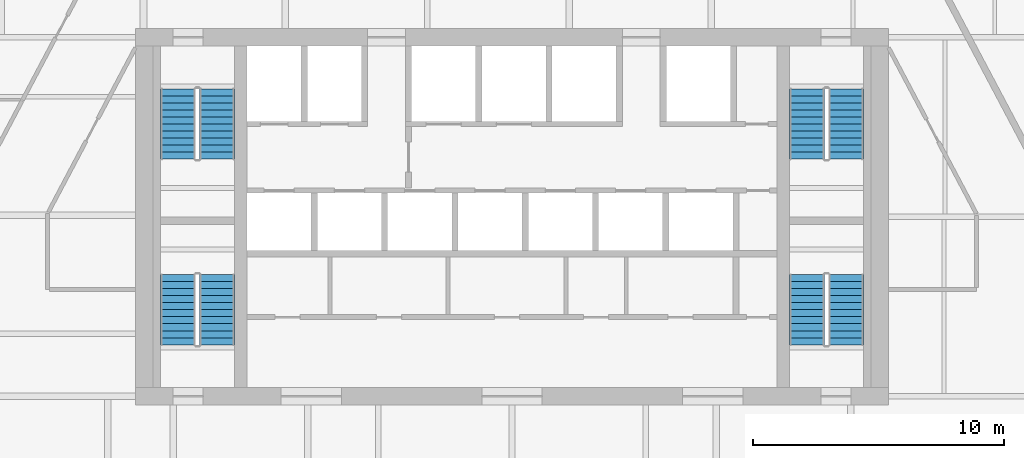
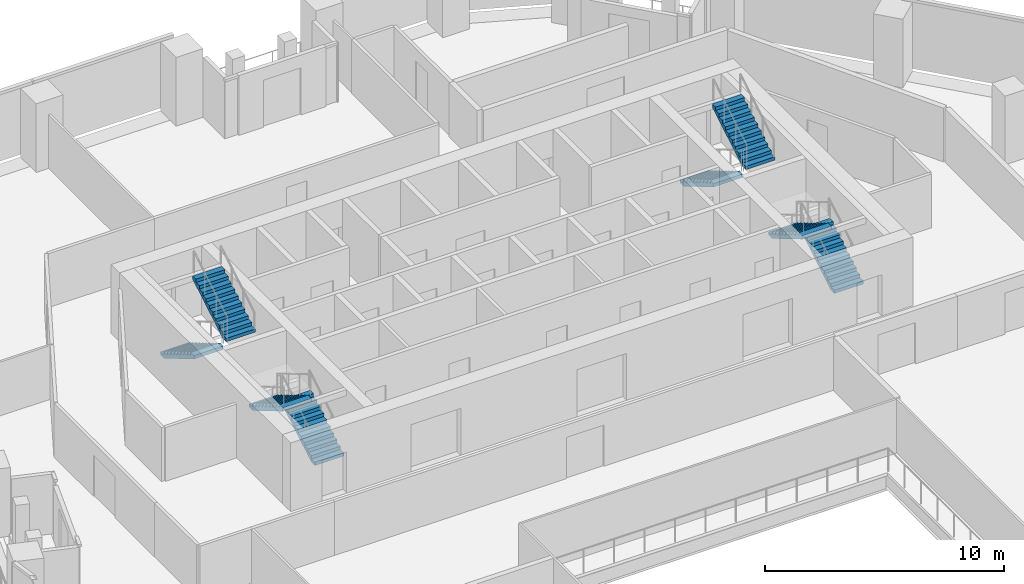
# One storey, part 21 of 25: 8 stair flights, 4 elements without a shape of their own.
"""IFC4 building model written with IfcOpenShell, lengths in metres."""

from ifc_helpers import new_model, si_unit, direction, frame, origin, place, context, subcontext, project, spatial, polyline, outline, extrude, material, type_object, element, aggregate, save


model = new_model("IFC4")

# Units and contexts
model_context = context("Model", 3, precision=1e-05, world=origin(), true_north=direction((0.0, 1.0)))
body_context = subcontext(model_context, "Body", "Model", "MODEL_VIEW")
ifc_project = project(units=[si_unit("LENGTHUNIT", "METRE"), si_unit("AREAUNIT", "SQUARE_METRE"), si_unit("VOLUMEUNIT", "CUBIC_METRE"), si_unit("PLANEANGLEUNIT", "RADIAN"), si_unit("MASSUNIT", "GRAM", prefix="KILO")], contexts=[model_context])

# Site, building, storey
site_placement = place(None, origin())
site = spatial("IfcSite", under=ifc_project, at=site_placement, CompositionType="ELEMENT")
building_placement = place(site_placement, origin())
building = spatial("IfcBuilding", under=site, at=building_placement, Name="Isthmus Gate Tower", CompositionType="ELEMENT")
storey_placement = place(building_placement, frame((0.0, 0.0, 174.449951171875)))
storey = spatial("IfcBuildingStorey", under=building, at=storey_placement, Name="L43", CompositionType="ELEMENT", Elevation=174.449951171875)

# Stair, stair flights
ifc_material_1 = material(Name="Concrete f'c 40 MPa", Category="concrete")
stair_type = type_object("IfcStairType", Name="CORE STAIR 22 RISERS", PredefinedType="HALF_TURN_STAIR", material=ifc_material_1)
stair_1_placement = place(storey_placement, origin())
stair_1 = element("IfcStair", 1, at=stair_1_placement, inside=storey, type_object=stair_type, Name="L43 Exit Stair 1", PredefinedType="HALF_TURN_STAIR")
ifc_material_2 = material(Name="Concrete f'c 40 MPa", Category="concrete")
stair_flight_type = type_object("IfcStairFlightType", Name="STAIR FLIGHT RC 1400", PredefinedType="STRAIGHT", material=ifc_material_2)
stair_flight_1_placement = place(storey_placement, frame((-13.300048828125, 12.60009765625, 0.0), z_axis=(0.0, 0.0, 1.0), x_axis=(0.0, -1.0, 0.0)))
stair_flight_1 = element("IfcStairFlight", 2, at=stair_flight_1_placement, type_object=stair_flight_type, Name="ST1 flight 1", NumberOfRisers=11, NumberOfTreads=10, PredefinedType="STRAIGHT", RiserHeight=0.165909091, TreadLength=0.28, context=body_context, shape_type="SweptSolid", body=[
    extrude(outline(polyline([(0.0, 0.0), (0.0, 0.166015625), (0.280029296875, 0.166015625), (0.280029296875, 0.331787109375), (0.56005859375, 0.331787109375), (0.56005859375, 0.497802734375), (0.840087890625, 0.497802734375), (0.840087890625, 0.66357421875), (1.1201171875, 0.66357421875), (1.1201171875, 0.82958984375), (1.39990234375, 0.82958984375), (1.39990234375, 0.995361328125), (1.679931640625, 0.995361328125), (1.679931640625, 1.161376953125), (1.9599609375, 1.161376953125), (1.9599609375, 1.327392578125), (2.239990234375, 1.327392578125), (2.239990234375, 1.4931640625), (2.52001953125, 1.4931640625), (2.52001953125, 1.6591796875), (2.800048828125, 1.6591796875), (2.800048828125, 1.824951171875), (2.800048828125, 1.48486328125), (0.2939453125, 0.0), (0.0, 0.0)])), frame((0.0, 0.699951171875, 0.0), z_axis=(0.0, -1.0, 0.0), x_axis=(1.0, 0.0, 0.0)), (0.0, 0.0, 1.0), 1.39990234375),
])
stair_flight_2_placement = place(storey_placement, frame((-11.75, 9.800048828125, 1.824951171875), z_axis=(0.0, 0.0, 1.0), x_axis=(0.0, 1.0, 0.0)))
stair_flight_2 = element("IfcStairFlight", 3, at=stair_flight_2_placement, type_object=stair_flight_type, Name="ST1 flight 2", NumberOfRisers=11, NumberOfTreads=10, PredefinedType="STRAIGHT", RiserHeight=0.165909091, TreadLength=0.28, context=body_context, shape_type="SweptSolid", body=[
    extrude(outline(polyline([(0.0, 0.0), (0.0, 0.166015625), (0.280029296875, 0.166015625), (0.280029296875, 0.331787109375), (0.56005859375, 0.331787109375), (0.56005859375, 0.497802734375), (0.840087890625, 0.497802734375), (0.840087890625, 0.66357421875), (1.1201171875, 0.66357421875), (1.1201171875, 0.82958984375), (1.39990234375, 0.82958984375), (1.39990234375, 0.995361328125), (1.679931640625, 0.995361328125), (1.679931640625, 1.161376953125), (1.9599609375, 1.161376953125), (1.9599609375, 1.327392578125), (2.239990234375, 1.327392578125), (2.239990234375, 1.4931640625), (2.52001953125, 1.4931640625), (2.52001953125, 1.6591796875), (2.800048828125, 1.6591796875), (2.800048828125, 1.824951171875), (2.800048828125, 1.48486328125), (0.2939453125, 0.0), (0.0, 0.0)])), frame((0.0, 0.699951171875, 0.0), z_axis=(0.0, -1.0, 0.0), x_axis=(1.0, 0.0, 0.0)), (0.0, 0.0, 1.0), 1.39990234375),
])
aggregate(stair_1, [stair_flight_1, stair_flight_2])

stair_2_placement = place(storey_placement, origin())
stair_2 = element("IfcStair", 4, at=stair_2_placement, inside=storey, type_object=stair_type, Name="L43 Exit Stair 2", PredefinedType="HALF_TURN_STAIR")
stair_flight_3_placement = place(storey_placement, frame((11.75, 12.60009765625, 0.0), z_axis=(0.0, 0.0, 1.0), x_axis=(0.0, -1.0, 0.0)))
stair_flight_3 = element("IfcStairFlight", 5, at=stair_flight_3_placement, type_object=stair_flight_type, Name="ST2 flight 1", NumberOfRisers=11, NumberOfTreads=10, PredefinedType="STRAIGHT", RiserHeight=0.165909091, TreadLength=0.28, context=body_context, shape_type="SweptSolid", body=[
    extrude(outline(polyline([(0.0, 0.0), (0.0, 0.166015625), (0.280029296875, 0.166015625), (0.280029296875, 0.331787109375), (0.56005859375, 0.331787109375), (0.56005859375, 0.497802734375), (0.840087890625, 0.497802734375), (0.840087890625, 0.66357421875), (1.1201171875, 0.66357421875), (1.1201171875, 0.82958984375), (1.39990234375, 0.82958984375), (1.39990234375, 0.995361328125), (1.679931640625, 0.995361328125), (1.679931640625, 1.161376953125), (1.9599609375, 1.161376953125), (1.9599609375, 1.327392578125), (2.239990234375, 1.327392578125), (2.239990234375, 1.4931640625), (2.52001953125, 1.4931640625), (2.52001953125, 1.6591796875), (2.800048828125, 1.6591796875), (2.800048828125, 1.824951171875), (2.800048828125, 1.48486328125), (0.2939453125, 0.0), (0.0, 0.0)])), frame((0.0, 0.699951171875, 0.0), z_axis=(0.0, -1.0, 0.0), x_axis=(1.0, 0.0, 0.0)), (0.0, 0.0, 1.0), 1.39990234375),
])
stair_flight_4_placement = place(storey_placement, frame((13.300048828125, 9.800048828125, 1.824951171875), z_axis=(0.0, 0.0, 1.0), x_axis=(0.0, 1.0, 0.0)))
stair_flight_4 = element("IfcStairFlight", 6, at=stair_flight_4_placement, type_object=stair_flight_type, Name="ST2 flight 2", NumberOfRisers=11, NumberOfTreads=10, PredefinedType="STRAIGHT", RiserHeight=0.165909091, TreadLength=0.28, context=body_context, shape_type="SweptSolid", body=[
    extrude(outline(polyline([(0.0, 0.0), (0.0, 0.166015625), (0.280029296875, 0.166015625), (0.280029296875, 0.331787109375), (0.56005859375, 0.331787109375), (0.56005859375, 0.497802734375), (0.840087890625, 0.497802734375), (0.840087890625, 0.66357421875), (1.1201171875, 0.66357421875), (1.1201171875, 0.82958984375), (1.39990234375, 0.82958984375), (1.39990234375, 0.995361328125), (1.679931640625, 0.995361328125), (1.679931640625, 1.161376953125), (1.9599609375, 1.161376953125), (1.9599609375, 1.327392578125), (2.239990234375, 1.327392578125), (2.239990234375, 1.4931640625), (2.52001953125, 1.4931640625), (2.52001953125, 1.6591796875), (2.800048828125, 1.6591796875), (2.800048828125, 1.824951171875), (2.800048828125, 1.48486328125), (0.2939453125, 0.0), (0.0, 0.0)])), frame((0.0, 0.699951171875, 0.0), z_axis=(0.0, -1.0, 0.0), x_axis=(1.0, 0.0, 0.0)), (0.0, 0.0, 1.0), 1.39990234375),
])
aggregate(stair_2, [stair_flight_3, stair_flight_4])

stair_3_placement = place(storey_placement, origin())
stair_3 = element("IfcStair", 7, at=stair_3_placement, inside=storey, type_object=stair_type, Name="L43 Exit Stair 7", PredefinedType="HALF_TURN_STAIR")
stair_flight_5_placement = place(storey_placement, frame((-11.75, 2.39990234375, 0.0), z_axis=(0.0, 0.0, 1.0), x_axis=(0.0, 1.0, 0.0)))
stair_flight_5 = element("IfcStairFlight", 8, at=stair_flight_5_placement, type_object=stair_flight_type, Name="ST7 flight 1", NumberOfRisers=11, NumberOfTreads=10, PredefinedType="STRAIGHT", RiserHeight=0.165909091, TreadLength=0.28, context=body_context, shape_type="SweptSolid", body=[
    extrude(outline(polyline([(0.0, 0.0), (0.0, 0.166015625), (0.280029296875, 0.166015625), (0.280029296875, 0.331787109375), (0.56005859375, 0.331787109375), (0.56005859375, 0.497802734375), (0.840087890625, 0.497802734375), (0.840087890625, 0.66357421875), (1.1201171875, 0.66357421875), (1.1201171875, 0.82958984375), (1.39990234375, 0.82958984375), (1.39990234375, 0.995361328125), (1.679931640625, 0.995361328125), (1.679931640625, 1.161376953125), (1.9599609375, 1.161376953125), (1.9599609375, 1.327392578125), (2.239990234375, 1.327392578125), (2.239990234375, 1.4931640625), (2.52001953125, 1.4931640625), (2.52001953125, 1.6591796875), (2.800048828125, 1.6591796875), (2.800048828125, 1.824951171875), (2.800048828125, 1.48486328125), (0.2939453125, 0.0), (0.0, 0.0)])), frame((0.0, 0.699951171875, 0.0), z_axis=(0.0, -1.0, 0.0), x_axis=(1.0, 0.0, 0.0)), (0.0, 0.0, 1.0), 1.39990234375),
])
stair_flight_6_placement = place(storey_placement, frame((-13.300048828125, 5.199951171875, 1.824951171875), z_axis=(0.0, 0.0, 1.0), x_axis=(0.0, -1.0, 0.0)))
stair_flight_6 = element("IfcStairFlight", 9, at=stair_flight_6_placement, type_object=stair_flight_type, Name="ST7 flight 2", NumberOfRisers=11, NumberOfTreads=10, PredefinedType="STRAIGHT", RiserHeight=0.165909091, TreadLength=0.28, context=body_context, shape_type="SweptSolid", body=[
    extrude(outline(polyline([(0.0, 0.0), (0.0, 0.166015625), (0.280029296875, 0.166015625), (0.280029296875, 0.331787109375), (0.56005859375, 0.331787109375), (0.56005859375, 0.497802734375), (0.840087890625, 0.497802734375), (0.840087890625, 0.66357421875), (1.1201171875, 0.66357421875), (1.1201171875, 0.82958984375), (1.39990234375, 0.82958984375), (1.39990234375, 0.995361328125), (1.679931640625, 0.995361328125), (1.679931640625, 1.161376953125), (1.9599609375, 1.161376953125), (1.9599609375, 1.327392578125), (2.239990234375, 1.327392578125), (2.239990234375, 1.4931640625), (2.52001953125, 1.4931640625), (2.52001953125, 1.6591796875), (2.800048828125, 1.6591796875), (2.800048828125, 1.824951171875), (2.800048828125, 1.48486328125), (0.2939453125, 0.0), (0.0, 0.0)])), frame((0.0, 0.699951171875, 0.0), z_axis=(0.0, -1.0, 0.0), x_axis=(1.0, 0.0, 0.0)), (0.0, 0.0, 1.0), 1.39990234375),
])
aggregate(stair_3, [stair_flight_5, stair_flight_6])

stair_4_placement = place(storey_placement, origin())
stair_4 = element("IfcStair", 10, at=stair_4_placement, inside=storey, type_object=stair_type, Name="L43 Exit Stair 8", PredefinedType="HALF_TURN_STAIR")
stair_flight_7_placement = place(storey_placement, frame((13.300048828125, 2.39990234375, 0.0), z_axis=(0.0, 0.0, 1.0), x_axis=(0.0, 1.0, 0.0)))
stair_flight_7 = element("IfcStairFlight", 11, at=stair_flight_7_placement, type_object=stair_flight_type, Name="ST8 flight 1", NumberOfRisers=11, NumberOfTreads=10, PredefinedType="STRAIGHT", RiserHeight=0.165909091, TreadLength=0.28, context=body_context, shape_type="SweptSolid", body=[
    extrude(outline(polyline([(0.0, 0.0), (0.0, 0.166015625), (0.280029296875, 0.166015625), (0.280029296875, 0.331787109375), (0.56005859375, 0.331787109375), (0.56005859375, 0.497802734375), (0.840087890625, 0.497802734375), (0.840087890625, 0.66357421875), (1.1201171875, 0.66357421875), (1.1201171875, 0.82958984375), (1.39990234375, 0.82958984375), (1.39990234375, 0.995361328125), (1.679931640625, 0.995361328125), (1.679931640625, 1.161376953125), (1.9599609375, 1.161376953125), (1.9599609375, 1.327392578125), (2.239990234375, 1.327392578125), (2.239990234375, 1.4931640625), (2.52001953125, 1.4931640625), (2.52001953125, 1.6591796875), (2.800048828125, 1.6591796875), (2.800048828125, 1.824951171875), (2.800048828125, 1.48486328125), (0.2939453125, 0.0), (0.0, 0.0)])), frame((0.0, 0.699951171875, 0.0), z_axis=(0.0, -1.0, 0.0), x_axis=(1.0, 0.0, 0.0)), (0.0, 0.0, 1.0), 1.39990234375),
])
stair_flight_8_placement = place(storey_placement, frame((11.75, 5.199951171875, 1.824951171875), z_axis=(0.0, 0.0, 1.0), x_axis=(0.0, -1.0, 0.0)))
stair_flight_8 = element("IfcStairFlight", 12, at=stair_flight_8_placement, type_object=stair_flight_type, Name="ST8 flight 2", NumberOfRisers=11, NumberOfTreads=10, PredefinedType="STRAIGHT", RiserHeight=0.165909091, TreadLength=0.28, context=body_context, shape_type="SweptSolid", body=[
    extrude(outline(polyline([(0.0, 0.0), (0.0, 0.166015625), (0.280029296875, 0.166015625), (0.280029296875, 0.331787109375), (0.56005859375, 0.331787109375), (0.56005859375, 0.497802734375), (0.840087890625, 0.497802734375), (0.840087890625, 0.66357421875), (1.1201171875, 0.66357421875), (1.1201171875, 0.82958984375), (1.39990234375, 0.82958984375), (1.39990234375, 0.995361328125), (1.679931640625, 0.995361328125), (1.679931640625, 1.161376953125), (1.9599609375, 1.161376953125), (1.9599609375, 1.327392578125), (2.239990234375, 1.327392578125), (2.239990234375, 1.4931640625), (2.52001953125, 1.4931640625), (2.52001953125, 1.6591796875), (2.800048828125, 1.6591796875), (2.800048828125, 1.824951171875), (2.800048828125, 1.48486328125), (0.2939453125, 0.0), (0.0, 0.0)])), frame((0.0, 0.699951171875, 0.0), z_axis=(0.0, -1.0, 0.0), x_axis=(1.0, 0.0, 0.0)), (0.0, 0.0, 1.0), 1.39990234375),
])
aggregate(stair_4, [stair_flight_7, stair_flight_8])

save(model, "model.ifc")
